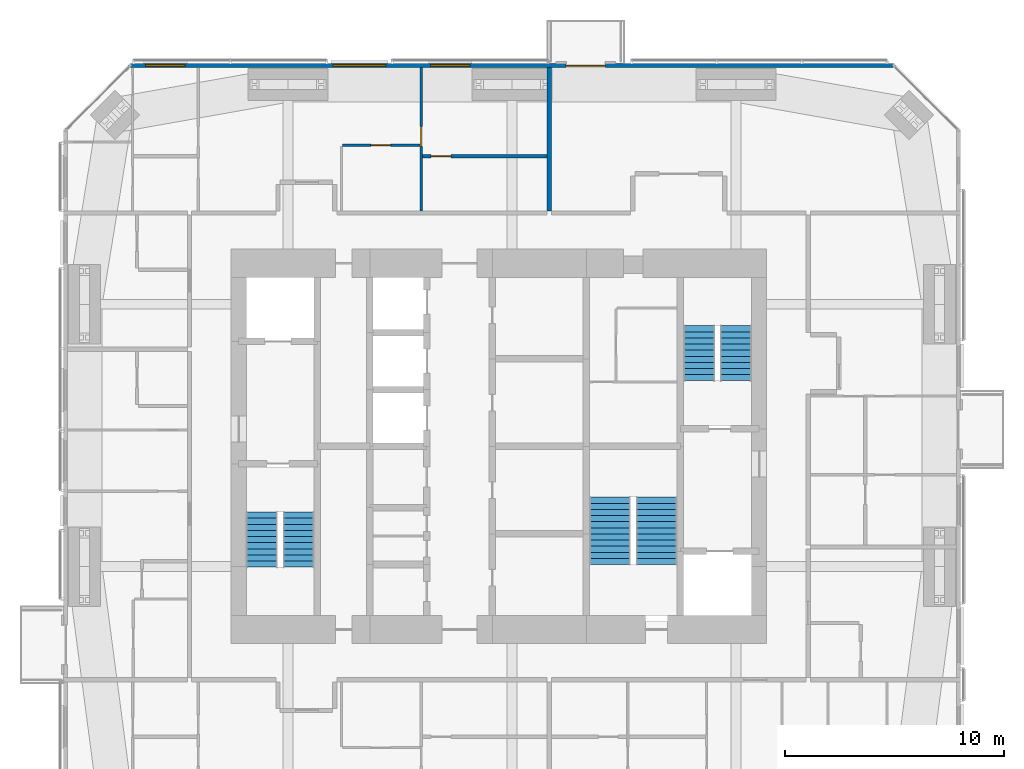
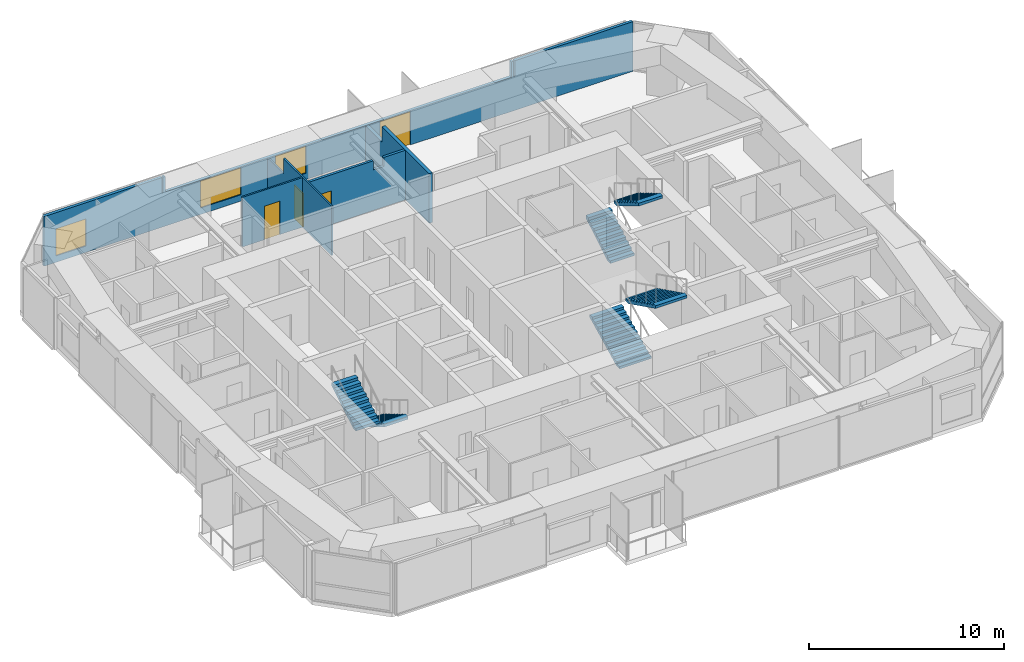
# One storey, part 21 of 22: 6 stair flights, 5 walls, 4 doors, 3 windows, 7 openings, 3 elements without a shape of their own.
"""IFC4 building model written with IfcOpenShell, lengths in metres."""

from ifc_helpers import new_model, si_unit, direction, frame, frame_2d, origin, place, context, subcontext, project, spatial, polyline, rectangle, outline, extrude, material, constituent, constituent_set, type_object, element, fill, aggregate, save


model = new_model("IFC4")

# Units and contexts
model_context = context("Model", 3, precision=1e-05, world=origin(), true_north=direction((0.0, 1.0)))
body_context = subcontext(model_context, "Body", "Model", "MODEL_VIEW")
ifc_project = project(units=[si_unit("LENGTHUNIT", "METRE"), si_unit("AREAUNIT", "SQUARE_METRE"), si_unit("VOLUMEUNIT", "CUBIC_METRE"), si_unit("PLANEANGLEUNIT", "RADIAN"), si_unit("MASSUNIT", "GRAM", prefix="KILO")], contexts=[model_context])

# Site, building, storey
site_placement = place(None, origin())
site = spatial("IfcSite", under=ifc_project, at=site_placement, CompositionType="ELEMENT")
building_placement = place(site_placement, origin())
building = spatial("IfcBuilding", under=site, at=building_placement, Name="Jalousie Tower", CompositionType="ELEMENT")
storey_placement = place(building_placement, frame((0.0, 0.0, 201.25)))
storey = spatial("IfcBuildingStorey", under=building, at=storey_placement, Name="L55", CompositionType="ELEMENT", Elevation=201.25)

# Wall, opening, door
ifc_material_1 = material(Name="Concrete block ASTM C90", Category="concrete")
ifc_constituent_1 = constituent(ifc_material_1, Name="Body")
ifc_material_2 = material(Name="Render")
ifc_constituent_2 = constituent(ifc_material_2, Name="Finish")
ifc_constituent_set_1 = constituent_set(constituents=[ifc_constituent_1, ifc_constituent_2])
wall_type_1 = type_object("IfcWallType", Name="BATHROOM WALL 150", PredefinedType="PLUMBINGWALL", material=ifc_constituent_set_1)
wall_1_placement = place(storey_placement, frame((28.39990234375, 31.77490234375, 0.0), z_axis=(0.0, 0.0, 1.0), x_axis=(1.0, 0.0, 0.0)))
wall_1 = element("IfcWall", 1, at=wall_1_placement, inside=storey, type_object=wall_type_1, Name="Bathroom Wall 150 L55", PredefinedType="PLUMBINGWALL", context=body_context, shape_type="SweptSolid", body=[
    extrude(outline(polyline([(0.0, 0.0), (5.7001953125, 0.0), (5.699951171875, 3.110107421875), (4.412353515625, 3.110107421875), (4.412353515625, 2.541015625), (3.78759765625, 2.541015625), (3.78759765625, 3.110107421875), (0.0, 3.110107421875), (0.0, 0.0)])), frame((0.0, 0.074951171875, 0.0), z_axis=(0.0, -1.0, 0.0), x_axis=(1.0, 0.0, 0.0)), (0.0, 0.0, 1.0), 0.14990234375),
])
opening_1_placement = place(wall_1_placement, frame((0.39990234375, 0.0, 0.0)))
opening_1 = element("IfcOpeningElement", 2, at=opening_1_placement, cuts=wall_1, Name="Opening D3", PredefinedType="OPENING", context=body_context, shape_type="SweptSolid", body=[
    extrude(rectangle(XDim=0.89990234375, YDim=2.10009765625, at=frame_2d((0.449951171875, 1.050048828125))), frame((0.0, 0.0849609375, 0.0), z_axis=(0.0, -1.0, 0.0), x_axis=(1.0, 0.0, 0.0)), (0.0, 0.0, 1.0), 0.169921875),
])
ifc_material_3 = material(Name="Timber door", Category="wood")
door_type_1 = type_object("IfcDoorType", Name="BATHROOM DOOR 900", OperationType="SINGLE_SWING_LEFT", PredefinedType="DOOR", material=ifc_material_3)
door_1_placement = place(opening_1_placement, frame((0.89990234375, 0.0, 0.0), z_axis=(0.0, 0.0, 1.0), x_axis=(-1.0, 0.0, 0.0)))
door_1 = element("IfcDoor", 3, at=door_1_placement, inside=storey, type_object=door_type_1, Name="Apartment 5503 bedroom 3 bathroom door", OperationType="SINGLE_SWING_RIGHT", OverallHeight=2.10009765625, OverallWidth=0.89990234375, PredefinedType="DOOR", context=body_context, shape_type="SweptSolid", body=[
    extrude(rectangle(XDim=0.89990234375, YDim=2.10009765625, at=frame_2d((0.449951171875, 1.050048828125))), frame((0.0, 0.02490234375, 0.0), z_axis=(0.0, -1.0, 0.0), x_axis=(1.0, 0.0, 0.0)), (0.0, 0.0, 1.0), 0.050048828125),
])
fill(opening_1, door_1)

# Wall, openings, door, windows
ifc_material_4 = material(Name="Concrete f'c 40 MPa", Category="concrete")
ifc_constituent_3 = constituent(ifc_material_4, Name="Body")
ifc_material_5 = material(Name="Render, pastel lemon")
ifc_constituent_4 = constituent(ifc_material_5, Name="Finish")
ifc_constituent_set_2 = constituent_set(constituents=[ifc_constituent_3, ifc_constituent_4])
wall_type_2 = type_object("IfcWallType", Name="EXTERNAL WALL 175 LEMON RENDER", PredefinedType="SOLIDWALL", material=ifc_constituent_set_2)
wall_2_placement = place(storey_placement, frame((49.94873046875, 35.91259765625, 0.0), z_axis=(0.0, 0.0, 1.0), x_axis=(-1.0, 0.0, 0.0)))
wall_2 = element("IfcWall", 4, at=wall_2_placement, inside=storey, type_object=wall_type_2, Name="External Wall 175 Lemon Render L55", PredefinedType="SOLIDWALL", context=body_context, shape_type="SweptSolid", body=[
    extrude(outline(polyline([(0.0, 0.0), (34.8974609375, 0.0), (34.8974609375, 3.110107421875), (27.91015625, 3.110107421875), (27.91015625, 2.14990234375), (27.8359375, 2.14990234375), (27.8359375, 3.110107421875), (27.69873046875, 3.110107421875), (27.69873046875, 2.14990234375), (7.19873046875, 2.14990234375), (7.19873046875, 3.110107421875), (7.0615234375, 3.110107421875), (7.0615234375, 2.14990234375), (6.9873046875, 2.14990234375), (6.9873046875, 3.110107421875), (0.0, 3.110107421875), (0.0, 0.0)])), frame((0.0, 0.08740234375, 0.0), z_axis=(0.0, -1.0, 0.0), x_axis=(1.0, 0.0, 0.0)), (0.0, 0.0, 1.0), 0.175048828125),
])
opening_2_placement = place(wall_2_placement, frame((13.173583984375, 0.0, 0.0)))
opening_2 = element("IfcOpeningElement", 5, at=opening_2_placement, cuts=wall_2, Name="Opening D-BAL21", PredefinedType="OPENING", context=body_context, shape_type="SweptSolid", body=[
    extrude(rectangle(XDim=1.800048828125, YDim=2.10009765625, at=frame_2d((0.89990234375, 1.050048828125))), frame((0.0, 0.097412109375, 0.0), z_axis=(0.0, -1.0, 0.0), x_axis=(1.0, 0.0, 0.0)), (0.0, 0.0, 1.0), 0.195068359375),
])
opening_3_placement = place(wall_2_placement, frame((19.373779296875, 0.0, 0.39990234375)))
opening_3 = element("IfcOpeningElement", 6, at=opening_3_placement, cuts=wall_2, Name="Opening W-BED170", PredefinedType="OPENING", context=body_context, shape_type="SweptSolid", body=[
    extrude(rectangle(XDim=1.800048828125, YDim=1.699951171875, at=frame_2d((0.89990234375, 0.85009765625))), frame((0.0, 0.097412109375, 0.0), z_axis=(0.0, -1.0, 0.0), x_axis=(1.0, 0.0, 0.0)), (0.0, 0.0, 1.0), 0.195068359375),
])
opening_4_placement = place(wall_2_placement, frame((23.2236328125, 0.0, 0.39990234375)))
opening_4 = element("IfcOpeningElement", 7, at=opening_4_placement, cuts=wall_2, Name="Opening W-LIV170", PredefinedType="OPENING", context=body_context, shape_type="SweptSolid", body=[
    extrude(rectangle(XDim=2.39990234375, YDim=1.699951171875, at=frame_2d((1.199951171875, 0.85009765625))), frame((0.0, 0.097412109375, 0.0), z_axis=(0.0, -1.0, 0.0), x_axis=(1.0, 0.0, 0.0)), (0.0, 0.0, 1.0), 0.195068359375),
])
opening_5_placement = place(wall_2_placement, frame((32.398681640625, 0.0, 0.39990234375)))
opening_5 = element("IfcOpeningElement", 8, at=opening_5_placement, cuts=wall_2, Name="Opening W-BED170", PredefinedType="OPENING", context=body_context, shape_type="SweptSolid", body=[
    extrude(rectangle(XDim=1.800048828125, YDim=1.699951171875, at=frame_2d((0.89990234375, 0.85009765625))), frame((0.0, 0.097412109375, 0.0), z_axis=(0.0, -1.0, 0.0), x_axis=(1.0, 0.0, 0.0)), (0.0, 0.0, 1.0), 0.195068359375),
])
ifc_material_6 = material(Name="Aluminium frame, impact-rated glazing", Category="aluminium")
door_type_2 = type_object("IfcDoorType", Name="BALCONY DOOR 1800x2100", OperationType="SLIDING_TO_LEFT", PredefinedType="DOOR", material=ifc_material_6)
door_2_placement = place(opening_2_placement, origin())
door_2 = element("IfcDoor", 9, at=door_2_placement, inside=storey, type_object=door_type_2, Name="Residents' lounge balcony door", OperationType="SLIDING_TO_LEFT", OverallHeight=2.10009765625, OverallWidth=1.800048828125, PredefinedType="DOOR", context=body_context, shape_type="SweptSolid", body=[
    extrude(rectangle(XDim=1.800048828125, YDim=2.10009765625, at=frame_2d((0.89990234375, 1.050048828125))), frame((0.0, 0.02490234375, 0.0), z_axis=(0.0, -1.0, 0.0), x_axis=(1.0, 0.0, 0.0)), (0.0, 0.0, 1.0), 0.050048828125),
])
fill(opening_2, door_2)
ifc_material_7 = material(Name="Aluminium frame, impact-rated glazing", Category="aluminium")
window_type_1 = type_object("IfcWindowType", Name="WINDOW BED 1800x1700", PartitioningType="SINGLE_PANEL", PredefinedType="WINDOW", material=ifc_material_7)
window_1_placement = place(opening_3_placement, origin())
window_1 = element("IfcWindow", 10, at=window_1_placement, inside=storey, type_object=window_type_1, Name="Apartment 5503 bedroom 3 window", OverallHeight=1.699951171875, OverallWidth=1.800048828125, PartitioningType="SINGLE_PANEL", PredefinedType="WINDOW", context=body_context, shape_type="SweptSolid", body=[
    extrude(rectangle(XDim=1.800048828125, YDim=1.699951171875, at=frame_2d((0.89990234375, 0.85009765625))), frame((0.0, 0.030029296875, 0.0), z_axis=(0.0, -1.0, 0.0), x_axis=(1.0, 0.0, 0.0)), (0.0, 0.0, 1.0), 0.06005859375),
])
fill(opening_3, window_1)
window_2_placement = place(opening_5_placement, origin())
window_2 = element("IfcWindow", 11, at=window_2_placement, inside=storey, type_object=window_type_1, Name="Apartment 5503 bedroom 2 window", OverallHeight=1.699951171875, OverallWidth=1.800048828125, PartitioningType="SINGLE_PANEL", PredefinedType="WINDOW", context=body_context, shape_type="SweptSolid", body=[
    extrude(rectangle(XDim=1.800048828125, YDim=1.699951171875, at=frame_2d((0.89990234375, 0.85009765625))), frame((0.0, 0.030029296875, 0.0), z_axis=(0.0, -1.0, 0.0), x_axis=(1.0, 0.0, 0.0)), (0.0, 0.0, 1.0), 0.06005859375),
])
fill(opening_5, window_2)
ifc_material_8 = material(Name="Aluminium frame, impact-rated glazing", Category="aluminium")
window_type_2 = type_object("IfcWindowType", Name="WINDOW LIV 2400x1700", PartitioningType="DOUBLE_PANEL_VERTICAL", PredefinedType="WINDOW", material=ifc_material_8)
window_3_placement = place(opening_4_placement, origin())
window_3 = element("IfcWindow", 12, at=window_3_placement, inside=storey, type_object=window_type_2, Name="Apartment 5503 living and dining room window", OverallHeight=1.699951171875, OverallWidth=2.39990234375, PartitioningType="SINGLE_PANEL", PredefinedType="WINDOW", context=body_context, shape_type="SweptSolid", body=[
    extrude(rectangle(XDim=2.39990234375, YDim=1.699951171875, at=frame_2d((1.199951171875, 0.85009765625))), frame((0.0, 0.030029296875, 0.0), z_axis=(0.0, -1.0, 0.0), x_axis=(1.0, 0.0, 0.0)), (0.0, 0.0, 1.0), 0.06005859375),
])
fill(opening_4, window_3)

# Wall, opening, door
ifc_material_9 = material(Name="Gypsum board", Category="gypsum")
ifc_constituent_5 = constituent(ifc_material_9, Name="Body")
ifc_material_10 = material(Name="Light-gauge steel studs ASTM A653 SS Grade 33", Category="steel")
ifc_constituent_6 = constituent(ifc_material_10, Name="Framing")
ifc_constituent_set_3 = constituent_set(constituents=[ifc_constituent_5, ifc_constituent_6])
wall_type_3 = type_object("IfcWallType", Name="PARTITION 100", PredefinedType="PARTITIONING", material=ifc_constituent_set_3)
wall_3_placement = place(storey_placement, frame((28.35009765625, 35.824951171875, 0.0), z_axis=(0.0, 0.0, 1.0), x_axis=(0.0, -1.0, 0.0)))
wall_3 = element("IfcWall", 13, at=wall_3_placement, inside=storey, type_object=wall_type_3, Name="Partition 100 L55", PredefinedType="PARTITIONING", context=body_context, shape_type="SweptSolid", body=[
    extrude(outline(polyline([(0.0, 0.0), (6.550048828125, 0.0), (6.550048828125, 3.110107421875), (1.635009765625, 3.110107421875), (1.635009765625, 2.14990234375), (0.0, 2.14990234375), (0.0, 3.110107421875), (0.0, 0.0)])), frame((0.0, 0.050048828125, 0.0), z_axis=(0.0, -1.0, 0.0), x_axis=(1.0, 0.0, 0.0)), (0.0, 0.0, 1.0), 0.10009765625),
])
opening_6_placement = place(wall_3_placement, frame((2.699951171875, 0.0, 0.0)))
opening_6 = element("IfcOpeningElement", 14, at=opening_6_placement, cuts=wall_3, Name="Opening D2", PredefinedType="OPENING", context=body_context, shape_type="SweptSolid", body=[
    extrude(rectangle(XDim=0.89990234375, YDim=2.10009765625, at=frame_2d((0.449951171875, 1.050048828125))), frame((0.0, 0.06005859375, 0.0), z_axis=(0.0, -1.0, 0.0), x_axis=(1.0, 0.0, 0.0)), (0.0, 0.0, 1.0), 0.1201171875),
])
ifc_material_11 = material(Name="Timber door", Category="wood")
door_type_3 = type_object("IfcDoorType", Name="BEDROOM DOOR 900", OperationType="SINGLE_SWING_LEFT", PredefinedType="DOOR", material=ifc_material_11)
door_3_placement = place(opening_6_placement, origin())
door_3 = element("IfcDoor", 15, at=door_3_placement, inside=storey, type_object=door_type_3, Name="Apartment 5503 bedroom 3 door", OperationType="SINGLE_SWING_RIGHT", OverallHeight=2.10009765625, OverallWidth=0.89990234375, PredefinedType="DOOR", context=body_context, shape_type="SweptSolid", body=[
    extrude(rectangle(XDim=0.89990234375, YDim=2.10009765625, at=frame_2d((0.449951171875, 1.050048828125))), frame((0.0, 0.02490234375, 0.0), z_axis=(0.0, -1.0, 0.0), x_axis=(1.0, 0.0, 0.0)), (0.0, 0.0, 1.0), 0.050048828125),
])
fill(opening_6, door_3)

wall_4_placement = place(storey_placement, frame((24.75, 32.27490234375, 0.0), z_axis=(0.0, 0.0, 1.0), x_axis=(1.0, 0.0, 0.0)))
wall_4 = element("IfcWall", 16, at=wall_4_placement, inside=storey, type_object=wall_type_3, Name="Partition 100 L55", PredefinedType="PARTITIONING", context=body_context, shape_type="SweptSolid", body=[
    extrude(rectangle(XDim=3.550048828125, YDim=0.10009765625, at=frame_2d((1.77490234375, 0.0))), origin(), (0.0, 0.0, 1.0), 3.110107421875),
])
opening_7_placement = place(wall_4_placement, frame((1.300048828125, 0.0, 0.0)))
opening_7 = element("IfcOpeningElement", 17, at=opening_7_placement, cuts=wall_4, Name="Opening D7", PredefinedType="OPENING", context=body_context, shape_type="SweptSolid", body=[
    extrude(rectangle(XDim=0.89990234375, YDim=2.10009765625, at=frame_2d((0.449951171875, 1.050048828125))), frame((0.0, 0.06005859375, 0.0), z_axis=(0.0, -1.0, 0.0), x_axis=(1.0, 0.0, 0.0)), (0.0, 0.0, 1.0), 0.1201171875),
])
ifc_material_12 = material(Name="Timber door", Category="wood")
door_type_4 = type_object("IfcDoorType", Name="INTERNAL DOOR 900", OperationType="SINGLE_SWING_LEFT", PredefinedType="DOOR", material=ifc_material_12)
door_4_placement = place(opening_7_placement, origin())
door_4 = element("IfcDoor", 18, at=door_4_placement, inside=storey, type_object=door_type_4, Name="Apartment 5503 kitchen door", OperationType="SINGLE_SWING_RIGHT", OverallHeight=2.10009765625, OverallWidth=0.89990234375, PredefinedType="DOOR", context=body_context, shape_type="SweptSolid", body=[
    extrude(rectangle(XDim=0.89990234375, YDim=2.10009765625, at=frame_2d((0.449951171875, 1.050048828125))), frame((0.0, 0.02490234375, 0.0), z_axis=(0.0, -1.0, 0.0), x_axis=(1.0, 0.0, 0.0)), (0.0, 0.0, 1.0), 0.050048828125),
])
fill(opening_7, door_4)

# Wall
ifc_material_13 = material(Name="Concrete block ASTM C90", Category="concrete")
ifc_constituent_7 = constituent(ifc_material_13, Name="Body")
ifc_material_14 = material(Name="Render")
ifc_constituent_8 = constituent(ifc_material_14, Name="Finish")
ifc_constituent_set_4 = constituent_set(constituents=[ifc_constituent_7, ifc_constituent_8])
wall_type_4 = type_object("IfcWallType", Name="PARTY WALL 200", PredefinedType="PARTITIONING", material=ifc_constituent_set_4)
wall_5_placement = place(storey_placement, frame((34.199951171875, 35.824951171875, 0.0), z_axis=(0.0, 0.0, 1.0), x_axis=(0.0, -1.0, 0.0)))
element("IfcWall", 19, at=wall_5_placement, inside=storey, type_object=wall_type_4, Name="Party Wall 200 L55", PredefinedType="PARTITIONING", context=body_context, shape_type="SweptSolid", body=[
    extrude(outline(polyline([(0.0, 0.0), (6.550048828125, 0.0), (6.550048828125, 3.110107421875), (1.68505859375, 3.110107421875), (1.68505859375, 2.14990234375), (0.0, 2.14990234375), (0.0, 3.110107421875), (0.0, 0.0)])), frame((0.0, 0.10009765625, 0.0), z_axis=(0.0, -1.0, 0.0), x_axis=(1.0, 0.0, 0.0)), (0.0, 0.0, 1.0), 0.199951171875),
])

# Stair, stair flights
ifc_material_15 = material(Name="Concrete f'c 40 MPa", Category="concrete")
stair_type = type_object("IfcStairType", Name="EXIT STAIR", PredefinedType="HALF_TURN_STAIR", material=ifc_material_15)
stair_1_placement = place(storey_placement, origin())
stair_1 = element("IfcStair", 20, at=stair_1_placement, inside=storey, type_object=stair_type, Name="Exit stair A L55", PredefinedType="HALF_TURN_STAIR")
ifc_material_16 = material(Name="Concrete f'c 40 MPa", Category="concrete")
stair_flight_type = type_object("IfcStairFlightType", Name="STAIR FLIGHT", PredefinedType="STRAIGHT", material=ifc_material_16)
stair_flight_1_placement = place(storey_placement, frame((22.737548828125, 15.49755859375, 0.0), z_axis=(0.0, 0.0, 1.0), x_axis=(0.0, -1.0, 0.0)))
stair_flight_1 = element("IfcStairFlight", 21, at=stair_flight_1_placement, type_object=stair_flight_type, Name="ST-A flight 1", NumberOfRisers=10, NumberOfTreads=9, PredefinedType="STRAIGHT", RiserHeight=0.1675, TreadLength=0.28, context=body_context, shape_type="SweptSolid", body=[
    extrude(outline(polyline([(0.0, 0.0), (0.0, 0.16748046875), (0.280029296875, 0.16748046875), (0.280029296875, 0.3349609375), (0.56005859375, 0.3349609375), (0.56005859375, 0.50244140625), (0.840087890625, 0.50244140625), (0.840087890625, 0.669921875), (1.1201171875, 0.669921875), (1.1201171875, 0.83740234375), (1.39990234375, 0.83740234375), (1.39990234375, 1.0048828125), (1.679931640625, 1.0048828125), (1.679931640625, 1.172607421875), (1.9599609375, 1.172607421875), (1.9599609375, 1.340087890625), (2.239990234375, 1.340087890625), (2.239990234375, 1.507568359375), (2.52001953125, 1.507568359375), (2.52001953125, 1.675048828125), (2.52001953125, 1.332763671875), (0.2919921875, 0.0), (0.0, 0.0)])), frame((0.0, 0.71240234375, 0.0), z_axis=(0.0, -1.0, 0.0), x_axis=(1.0, 0.0, 0.0)), (0.0, 0.0, 1.0), 1.425048828125),
])
stair_flight_2_placement = place(storey_placement, frame((21.0625, 12.9775390625, 1.675048828125), z_axis=(0.0, 0.0, 1.0), x_axis=(0.0, 1.0, 0.0)))
stair_flight_2 = element("IfcStairFlight", 22, at=stair_flight_2_placement, type_object=stair_flight_type, Name="ST-A flight 2", NumberOfRisers=10, NumberOfTreads=9, PredefinedType="STRAIGHT", RiserHeight=0.1675, TreadLength=0.28, context=body_context, shape_type="SweptSolid", body=[
    extrude(outline(polyline([(0.0, 0.0), (0.0, 0.16748046875), (0.280029296875, 0.16748046875), (0.280029296875, 0.3349609375), (0.56005859375, 0.3349609375), (0.56005859375, 0.50244140625), (0.840087890625, 0.50244140625), (0.840087890625, 0.669921875), (1.1201171875, 0.669921875), (1.1201171875, 0.83740234375), (1.39990234375, 0.83740234375), (1.39990234375, 1.0048828125), (1.679931640625, 1.0048828125), (1.679931640625, 1.172607421875), (1.9599609375, 1.172607421875), (1.9599609375, 1.340087890625), (2.239990234375, 1.340087890625), (2.239990234375, 1.507568359375), (2.52001953125, 1.507568359375), (2.52001953125, 1.675048828125), (2.52001953125, 1.332763671875), (0.2919921875, 0.0), (0.0, 0.0)])), frame((0.0, 0.71240234375, 0.0), z_axis=(0.0, -1.0, 0.0), x_axis=(1.0, 0.0, 0.0)), (0.0, 0.0, 1.0), 1.425048828125),
])
aggregate(stair_1, [stair_flight_1, stair_flight_2])

stair_2_placement = place(storey_placement, origin())
stair_2 = element("IfcStair", 23, at=stair_2_placement, inside=storey, type_object=stair_type, Name="Exit stair B L55", PredefinedType="HALF_TURN_STAIR")
stair_flight_3_placement = place(storey_placement, frame((41.0625, 21.50244140625, 0.0), z_axis=(0.0, 0.0, 1.0), x_axis=(0.0, 1.0, 0.0)))
stair_flight_3 = element("IfcStairFlight", 24, at=stair_flight_3_placement, type_object=stair_flight_type, Name="ST-B flight 1", NumberOfRisers=10, NumberOfTreads=9, PredefinedType="STRAIGHT", RiserHeight=0.1675, TreadLength=0.28, context=body_context, shape_type="SweptSolid", body=[
    extrude(outline(polyline([(0.0, 0.0), (0.0, 0.16748046875), (0.280029296875, 0.16748046875), (0.280029296875, 0.3349609375), (0.56005859375, 0.3349609375), (0.56005859375, 0.50244140625), (0.840087890625, 0.50244140625), (0.840087890625, 0.669921875), (1.1201171875, 0.669921875), (1.1201171875, 0.83740234375), (1.39990234375, 0.83740234375), (1.39990234375, 1.0048828125), (1.679931640625, 1.0048828125), (1.679931640625, 1.172607421875), (1.9599609375, 1.172607421875), (1.9599609375, 1.340087890625), (2.239990234375, 1.340087890625), (2.239990234375, 1.507568359375), (2.52001953125, 1.507568359375), (2.52001953125, 1.675048828125), (2.52001953125, 1.332763671875), (0.2919921875, 0.0), (0.0, 0.0)])), frame((0.0, 0.71240234375, 0.0), z_axis=(0.0, -1.0, 0.0), x_axis=(1.0, 0.0, 0.0)), (0.0, 0.0, 1.0), 1.425048828125),
])
stair_flight_4_placement = place(storey_placement, frame((42.737548828125, 24.0224609375, 1.675048828125), z_axis=(0.0, 0.0, 1.0), x_axis=(0.0, -1.0, 0.0)))
stair_flight_4 = element("IfcStairFlight", 25, at=stair_flight_4_placement, type_object=stair_flight_type, Name="ST-B flight 2", NumberOfRisers=10, NumberOfTreads=9, PredefinedType="STRAIGHT", RiserHeight=0.1675, TreadLength=0.28, context=body_context, shape_type="SweptSolid", body=[
    extrude(outline(polyline([(0.0, 0.0), (0.0, 0.16748046875), (0.280029296875, 0.16748046875), (0.280029296875, 0.3349609375), (0.56005859375, 0.3349609375), (0.56005859375, 0.50244140625), (0.840087890625, 0.50244140625), (0.840087890625, 0.669921875), (1.1201171875, 0.669921875), (1.1201171875, 0.83740234375), (1.39990234375, 0.83740234375), (1.39990234375, 1.0048828125), (1.679931640625, 1.0048828125), (1.679931640625, 1.172607421875), (1.9599609375, 1.172607421875), (1.9599609375, 1.340087890625), (2.239990234375, 1.340087890625), (2.239990234375, 1.507568359375), (2.52001953125, 1.507568359375), (2.52001953125, 1.675048828125), (2.52001953125, 1.332763671875), (0.2919921875, 0.0), (0.0, 0.0)])), frame((0.0, 0.71240234375, 0.0), z_axis=(0.0, -1.0, 0.0), x_axis=(1.0, 0.0, 0.0)), (0.0, 0.0, 1.0), 1.425048828125),
])
aggregate(stair_2, [stair_flight_3, stair_flight_4])

stair_3_placement = place(storey_placement, origin())
stair_3 = element("IfcStair", 26, at=stair_3_placement, inside=storey, type_object=stair_type, Name="Exit stair C L55", PredefinedType="HALF_TURN_STAIR")
stair_flight_5_placement = place(storey_placement, frame((36.987548828125, 13.097412109375, 0.0), z_axis=(0.0, 0.0, 1.0), x_axis=(0.0, 1.0, 0.0)))
stair_flight_5 = element("IfcStairFlight", 27, at=stair_flight_5_placement, type_object=stair_flight_type, Name="ST-C flight 1", NumberOfRisers=12, NumberOfTreads=11, PredefinedType="STRAIGHT", RiserHeight=0.139583333, TreadLength=0.28, context=body_context, shape_type="SweptSolid", body=[
    extrude(outline(polyline([(0.0, 0.0), (0.0, 0.1396484375), (0.280029296875, 0.1396484375), (0.280029296875, 0.279052734375), (0.56005859375, 0.279052734375), (0.56005859375, 0.418701171875), (0.840087890625, 0.418701171875), (0.840087890625, 0.558349609375), (1.1201171875, 0.558349609375), (1.1201171875, 0.697998046875), (1.39990234375, 0.697998046875), (1.39990234375, 0.83740234375), (1.679931640625, 0.83740234375), (1.679931640625, 0.97705078125), (1.9599609375, 0.97705078125), (1.9599609375, 1.11669921875), (2.239990234375, 1.11669921875), (2.239990234375, 1.25634765625), (2.52001953125, 1.25634765625), (2.52001953125, 1.395751953125), (2.800048828125, 1.395751953125), (2.800048828125, 1.535400390625), (3.080078125, 1.535400390625), (3.080078125, 1.675048828125), (3.080078125, 1.367919921875), (0.3359375, 0.0), (0.0, 0.0)])), frame((0.0, 0.9375, 0.0), z_axis=(0.0, -1.0, 0.0), x_axis=(1.0, 0.0, 0.0)), (0.0, 0.0, 1.0), 1.875),
])
stair_flight_6_placement = place(storey_placement, frame((39.112548828125, 16.177490234375, 1.675048828125), z_axis=(0.0, 0.0, 1.0), x_axis=(0.0, -1.0, 0.0)))
stair_flight_6 = element("IfcStairFlight", 28, at=stair_flight_6_placement, type_object=stair_flight_type, Name="ST-C flight 2", NumberOfRisers=12, NumberOfTreads=11, PredefinedType="STRAIGHT", RiserHeight=0.139583333, TreadLength=0.28, context=body_context, shape_type="SweptSolid", body=[
    extrude(outline(polyline([(0.0, 0.0), (0.0, 0.1396484375), (0.280029296875, 0.1396484375), (0.280029296875, 0.279052734375), (0.56005859375, 0.279052734375), (0.56005859375, 0.418701171875), (0.840087890625, 0.418701171875), (0.840087890625, 0.558349609375), (1.1201171875, 0.558349609375), (1.1201171875, 0.697998046875), (1.39990234375, 0.697998046875), (1.39990234375, 0.83740234375), (1.679931640625, 0.83740234375), (1.679931640625, 0.97705078125), (1.9599609375, 0.97705078125), (1.9599609375, 1.11669921875), (2.239990234375, 1.11669921875), (2.239990234375, 1.25634765625), (2.52001953125, 1.25634765625), (2.52001953125, 1.395751953125), (2.800048828125, 1.395751953125), (2.800048828125, 1.535400390625), (3.080078125, 1.535400390625), (3.080078125, 1.675048828125), (3.080078125, 1.367919921875), (0.3359375, 0.0), (0.0, 0.0)])), frame((0.0, 0.9375, 0.0), z_axis=(0.0, -1.0, 0.0), x_axis=(1.0, 0.0, 0.0)), (0.0, 0.0, 1.0), 1.875),
])
aggregate(stair_3, [stair_flight_5, stair_flight_6])

save(model, "model.ifc")
